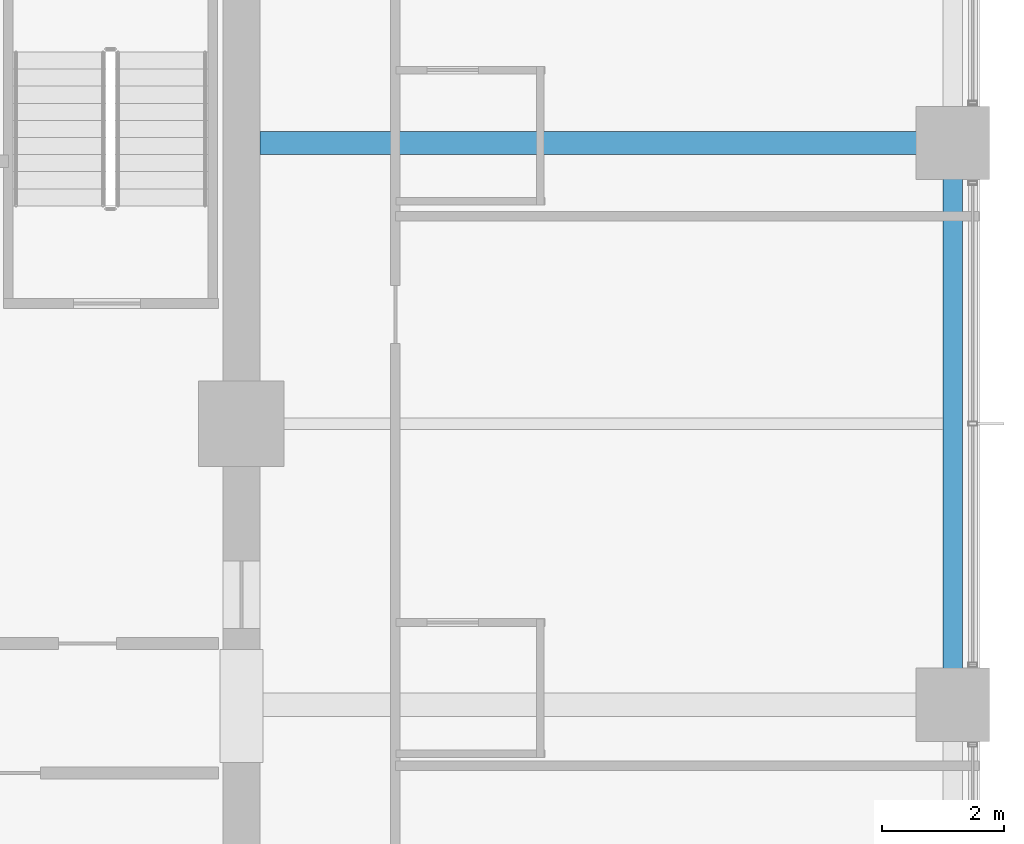
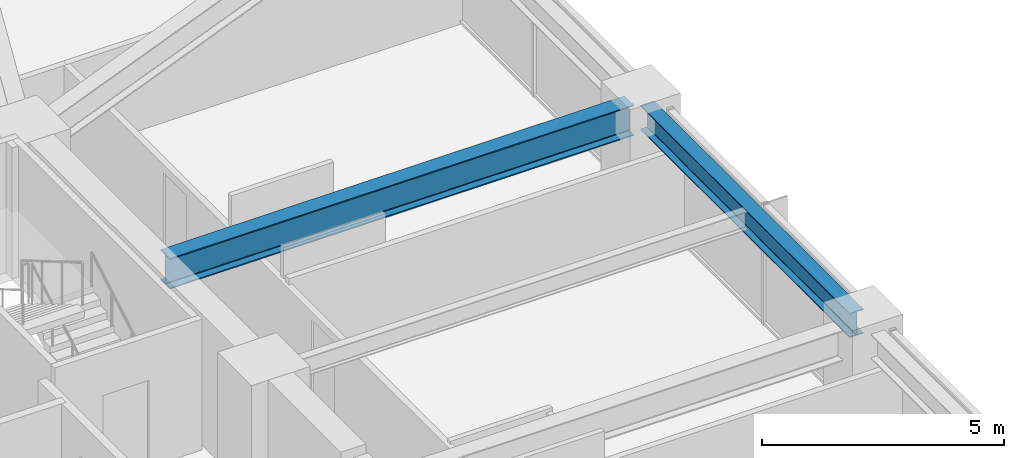
# One storey, part 15 of 38: 2 beams.
"""IFC4 building model written with IfcOpenShell, lengths in metres."""

import ifcopenshell
import ifcopenshell.guid

model = None  # the IFC model being written
_history = None  # IfcOwnerHistory: only IFC2X3 demands one
_inside = {}  # id of a spatial element -> (the spatial element, [elements in it])
_under = {}  # id of a project, library or spatial element -> (it, [spatial elements below it])
_declared = {}  # id of a project -> (the project, [libraries it declares])
_typed = {}  # id of a type object -> (the type object, [elements of that type])
_made_of = {}  # id of a material, layer set ... -> (it, [elements and type objects made of it])


def new_model(schema):
    """Start an empty IFC model of exactly this schema.

    Asked for "IFC4X3", IfcOpenShell would pick the latest addendum, in which some entities
    have other attributes; the version numbers below select the first issue.
    IFC2X3 requires an IfcOwnerHistory on every rooted entity: one is made here for all.
    """
    global model, _history
    if schema == "IFC4X3":
        model = ifcopenshell.file(schema_version=(4, 3, 0, 0))
    else:
        model = ifcopenshell.file(schema=schema)
    _inside.clear()
    _under.clear()
    _declared.clear()
    _typed.clear()
    _made_of.clear()
    _history = None
    if model.schema == "IFC2X3":
        org = make("IfcOrganization", Name="unknown")
        user = make(
            "IfcPersonAndOrganization",
            ThePerson=make("IfcPerson", FamilyName="unknown"),
            TheOrganization=org,
        )
        app = make(
            "IfcApplication",
            ApplicationDeveloper=org,
            Version="unknown",
            ApplicationFullName="unknown",
            ApplicationIdentifier="unknown",
        )
        _history = make(
            "IfcOwnerHistory",
            OwningUser=user,
            OwningApplication=app,
            ChangeAction="ADDED",
            CreationDate=0,
        )
    return model


def make(cls, **values):
    """One entity of the class cls with the attributes given. An attribute that is None is left unset."""
    return model.create_entity(
        cls, **{name: value for name, value in values.items() if value is not None}
    )


def rooted(cls, **values):
    """An entity with a GlobalId (a new one), such as an element, a storey or a relation."""
    return make(cls, GlobalId=ifcopenshell.guid.new(), OwnerHistory=_history, **values)


def si_unit(unit_type, name, prefix=None):
    """IfcSIUnit, for example si_unit("LENGTHUNIT", "METRE", prefix="MILLI")."""
    return make("IfcSIUnit", UnitType=unit_type, Prefix=prefix, Name=name)


def assignment(units):
    """IfcUnitAssignment: the units of a project."""
    return None if units is None else make("IfcUnitAssignment", Units=units)


def point(xyz):
    """IfcCartesianPoint."""
    return None if xyz is None else make("IfcCartesianPoint", Coordinates=xyz)


def direction(xyz):
    """IfcDirection."""
    return None if xyz is None else make("IfcDirection", DirectionRatios=xyz)


def frame(location, z_axis=None, x_axis=None):
    """IfcAxis2Placement3D, a coordinate frame: its origin and axes. An axis left out is left unset."""
    return make(
        "IfcAxis2Placement3D",
        Location=point(location),
        Axis=direction(z_axis),
        RefDirection=direction(x_axis),
    )


def frame_2d(location, x_axis=None):
    """IfcAxis2Placement2D, a coordinate frame in the plane: its origin and x axis."""
    return make(
        "IfcAxis2Placement2D", Location=point(location), RefDirection=direction(x_axis)
    )


def origin():
    """The frame at (0, 0, 0) with its axes left unset."""
    return frame((0.0, 0.0, 0.0))


def origin_2d():
    """The frame at (0, 0) in the plane with its x axis left unset."""
    return frame_2d((0.0, 0.0))


def place(relative_to, where):
    """IfcLocalPlacement: puts the frame where relative to a parent placement (None: the world)."""
    return make(
        "IfcLocalPlacement", PlacementRelTo=relative_to, RelativePlacement=where
    )


def context(
    kind, dimensions, precision=None, world=None, true_north=None, identifier=None
):
    """IfcGeometricRepresentationContext, for example the 3D "Model" context."""
    return make(
        "IfcGeometricRepresentationContext",
        ContextIdentifier=identifier,
        ContextType=kind,
        CoordinateSpaceDimension=dimensions,
        Precision=precision,
        WorldCoordinateSystem=world,
        TrueNorth=true_north,
    )


def subcontext(parent, identifier, kind, view, scale=None):
    """IfcGeometricRepresentationSubContext, for example "Body" below "Model"."""
    return make(
        "IfcGeometricRepresentationSubContext",
        ContextIdentifier=identifier,
        ContextType=kind,
        ParentContext=parent,
        TargetScale=scale,
        TargetView=view,
    )


def project(units=None, contexts=None):
    """IfcProject with its units and contexts."""
    return rooted(
        "IfcProject",
        Name="project",
        RepresentationContexts=contexts,
        UnitsInContext=assignment(units),
    )


def spatial(cls, under=None, at=None, **own):
    """A site, building, storey or space (cls), placed at a placement, below another one or the project."""
    s = rooted(cls, ObjectPlacement=at, **own)
    if under is not None:
        _under.setdefault(under.id(), (under, []))[1].append(s)
    return s


def profile(cls, at=None, kind="AREA", **sizes):
    """A parametric profile (cls). Its sizes go by their IFC names, for example OverallWidth=200.0."""
    return make(cls, ProfileType=kind, Position=at, **sizes)


def i_section(**sizes):
    """IfcIShapeProfileDef."""
    return profile("IfcIShapeProfileDef", **sizes)


def extrude(swept, where, along, depth):
    """IfcExtrudedAreaSolid: the profile swept, set in the frame where, extruded along a direction by depth."""
    return make(
        "IfcExtrudedAreaSolid",
        SweptArea=swept,
        Position=where,
        ExtrudedDirection=direction(along),
        Depth=depth,
    )


def shape(context_of_items, identifier, shape_type, items):
    """IfcShapeRepresentation: the items that make up one representation, for example the "Body"."""
    return make(
        "IfcShapeRepresentation",
        ContextOfItems=context_of_items,
        RepresentationIdentifier=identifier,
        RepresentationType=shape_type,
        Items=items,
    )


def material(Name=None, Category=None):
    """IfcMaterial."""
    return make("IfcMaterial", Name=Name, Category=Category)


def material_profile(
    of_material, cross_section, Name=None, Category=None, Priority=None
):
    """IfcMaterialProfile: a cross section and its material."""
    return make(
        "IfcMaterialProfile",
        Name=Name,
        Material=of_material,
        Profile=cross_section,
        Priority=Priority,
        Category=Category,
    )


def profile_set(profiles, Name=None, composite=None):
    """IfcMaterialProfileSet."""
    return make(
        "IfcMaterialProfileSet",
        Name=Name,
        MaterialProfiles=profiles,
        CompositeProfile=composite,
    )


def made_of(thing, what):
    """Note that an element or type object is made of a material, layer set ...; save() writes the relation."""
    if what is not None:
        _made_of.setdefault(what.id(), (what, []))[1].append(thing)
    return thing


def type_object(cls, material=None, **own):
    """A type object (cls), such as IfcWallType, which elements share."""
    return made_of(rooted(cls, **own), material)


def element(
    cls,
    number,
    at=None,
    inside=None,
    cuts=None,
    type_object=None,
    material=None,
    context=None,
    identifier="Body",
    shape_type=None,
    held_by="IfcProductDefinitionShape",
    body=None,
    shapes=None,
    **own,
):
    """One element of the class cls, such as IfcWall. Its Tag is "e" and its number.

    at: its placement. inside: the storey or other place that contains it. cuts: it is an
    opening in that element (IfcRelVoidsElement). A single representation is given by context,
    identifier, shape_type and body (its items); several are given by shapes. held_by: the class
    of the entity that holds the representations. save() writes the other relations.
    """
    e = rooted(cls, Tag="e%d" % number, ObjectPlacement=at, **own)
    if body is not None:
        shapes = [shape(context, identifier, shape_type, body)]
    if shapes is not None:
        e.Representation = make(held_by, Representations=shapes)
    if inside is not None:
        _inside.setdefault(inside.id(), (inside, []))[1].append(e)
    if cuts is not None:
        rooted(
            "IfcRelVoidsElement", RelatingBuildingElement=cuts, RelatedOpeningElement=e
        )
    if type_object is not None:
        _typed.setdefault(type_object.id(), (type_object, []))[1].append(e)
    return made_of(e, material)


def aggregate(whole, parts):
    """IfcRelAggregates: a whole, such as a stair, and the parts it consists of."""
    return rooted("IfcRelAggregates", RelatingObject=whole, RelatedObjects=parts)


def save(model, path):
    """Write the relations noted so far, then the file.

    IfcRelAggregates (storeys below a building ...), IfcRelContainedInSpatialStructure (elements
    in a storey), IfcRelDefinesByType, IfcRelAssociatesMaterial and IfcRelDeclares: one each for
    every whole, place, type object, material and project.
    """
    for whole, parts in _under.values():
        aggregate(whole, parts)
    for where, things in _inside.values():
        rooted(
            "IfcRelContainedInSpatialStructure",
            RelatedElements=things,
            RelatingStructure=where,
        )
    for kind, things in _typed.values():
        rooted("IfcRelDefinesByType", RelatedObjects=things, RelatingType=kind)
    for what, things in _made_of.values():
        rooted("IfcRelAssociatesMaterial", RelatedObjects=things, RelatingMaterial=what)
    for by, libraries in _declared.values():
        rooted("IfcRelDeclares", RelatingContext=by, RelatedDefinitions=libraries)
    model.write(path)


model = new_model("IFC4")

# Units and contexts
model_context = context("Model", 3, precision=1e-05, world=origin(), true_north=direction((0.0, 1.0)))
body_context = subcontext(model_context, "Body", "Model", "MODEL_VIEW")
ifc_project = project(units=[si_unit("LENGTHUNIT", "METRE"), si_unit("AREAUNIT", "SQUARE_METRE"), si_unit("VOLUMEUNIT", "CUBIC_METRE"), si_unit("PLANEANGLEUNIT", "RADIAN"), si_unit("MASSUNIT", "GRAM", prefix="KILO")], contexts=[model_context])

# Site, building, storey
site_placement = place(None, origin())
site = spatial("IfcSite", under=ifc_project, at=site_placement, CompositionType="ELEMENT")
building_placement = place(site_placement, origin())
building = spatial("IfcBuilding", under=site, at=building_placement, Name="Kolvaren Belvedere", CompositionType="ELEMENT")
storey_placement = place(building_placement, frame((0.0, 0.0, 30.39990234375)))
storey = spatial("IfcBuildingStorey", under=building, at=storey_placement, Name="L08", CompositionType="ELEMENT", Elevation=30.39990234375)

# Beams
ifc_material_1 = material(Name="Structural steel ASTM A992 Grade 50", Category="steel")
ifc_material_profile_1 = material_profile(ifc_material_1, i_section(OverallWidth=0.381103515625, OverallDepth=0.77294921875, WebThickness=0.0166015625, FlangeThickness=0.027099609375, FilletRadius=0.02392578125, at=origin_2d()), Name="W30X173")
ifc_profile_set_1 = profile_set([ifc_material_profile_1], Name="Structural steel ASTM A992 Grade 50")
beam_type_1 = type_object("IfcBeamType", Name="BM-GIRD-W30X173", PredefinedType="BEAM", material=ifc_profile_set_1)
beam_1_placement = place(storey_placement, frame((10.199951171875, 4.60009765625, 2.673583984375), z_axis=(1.0, 0.0, 0.0), x_axis=(0.0, 1.0, 0.0)))
element("IfcBeam", 1, at=beam_1_placement, inside=storey, type_object=beam_type_1, Name="L08 East Radial Girder P", PredefinedType="BEAM", context=body_context, shape_type="SweptSolid", body=[
    extrude(i_section(OverallWidth=0.381103515625, OverallDepth=0.77294921875, WebThickness=0.0166015625, FlangeThickness=0.027099609375, FilletRadius=0.02392578125, at=origin_2d()), origin(), (0.0, 0.0, 1.0), 11.080078125),
])
ifc_material_2 = material(Name="Structural steel ASTM A992 Grade 50", Category="steel")
ifc_material_profile_2 = material_profile(ifc_material_2, i_section(OverallWidth=0.324951171875, OverallDepth=0.615966796875, WebThickness=0.013916015625, FlangeThickness=0.021484375, FilletRadius=0.02001953125, at=origin_2d()), Name="W24X117")
ifc_profile_set_2 = profile_set([ifc_material_profile_2], Name="Structural steel ASTM A992 Grade 50")
beam_type_2 = type_object("IfcBeamType", Name="BM-SPAN-W24X117", PredefinedType="SPANDREL", material=ifc_profile_set_2)
beam_2_placement = place(storey_placement, frame((21.550048828125, -4.330078125, 2.752197265625), z_axis=(0.0, 1.0, 0.0), x_axis=(-1.0, 0.0, 0.0)))
element("IfcBeam", 2, at=beam_2_placement, inside=storey, type_object=beam_type_2, Name="L08 Perimeter Spandrel E2-E3", PredefinedType="SPANDREL", context=body_context, shape_type="SweptSolid", body=[
    extrude(i_section(OverallWidth=0.324951171875, OverallDepth=0.615966796875, WebThickness=0.013916015625, FlangeThickness=0.021484375, FilletRadius=0.02001953125, at=origin_2d()), origin(), (0.0, 0.0, 1.0), 8.66015625),
])

save(model, "model.ifc")
